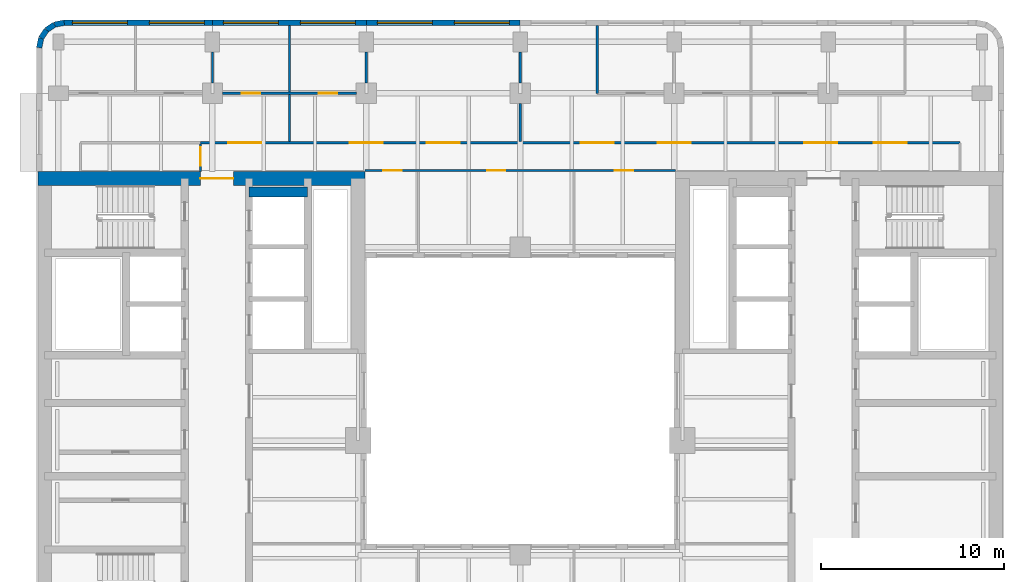
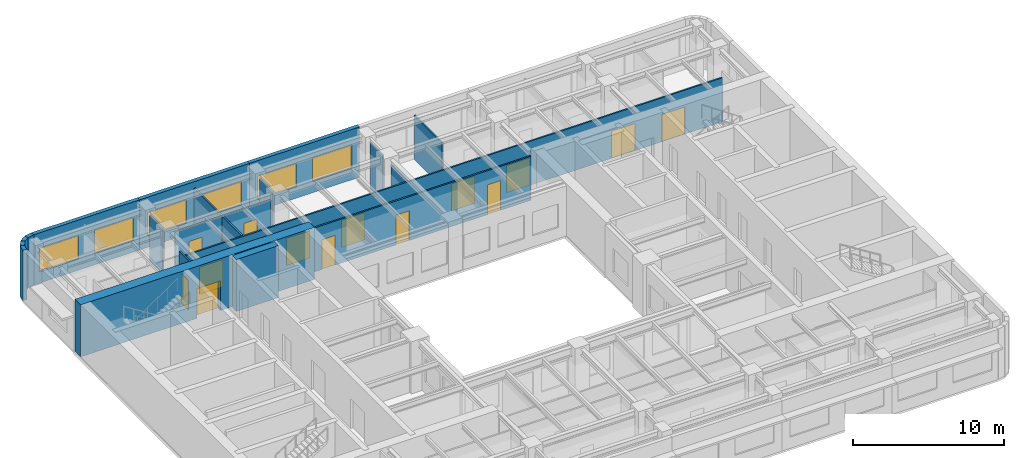
# One storey, part 7 of 12: 20 walls, 14 doors, 6 windows, 20 openings.
"""IFC4 building model written with IfcOpenShell, lengths in metres."""

from ifc_helpers import new_model, si_unit, direction, frame, frame_2d, origin, place, context, subcontext, project, spatial, rectangle, extrude, material, layer, layer_set, type_object, element, fill, save


model = new_model("IFC4")

# Units and contexts
model_context = context("Model", 3, precision=1e-05, world=origin(), true_north=direction((0.0, 1.0)))
body_context = subcontext(model_context, "Body", "Model", "MODEL_VIEW")
ifc_project = project(units=[si_unit("LENGTHUNIT", "METRE"), si_unit("AREAUNIT", "SQUARE_METRE"), si_unit("VOLUMEUNIT", "CUBIC_METRE"), si_unit("PLANEANGLEUNIT", "RADIAN"), si_unit("MASSUNIT", "GRAM", prefix="KILO")], contexts=[model_context])

# Site, building, storey
site_placement = place(None, origin())
site = spatial("IfcSite", under=ifc_project, at=site_placement, CompositionType="ELEMENT")
building_placement = place(site_placement, origin())
building = spatial("IfcBuilding", under=site, at=building_placement, Name="Claustro Exchange Tower", CompositionType="ELEMENT")
storey_placement = place(building_placement, frame((0.0, 0.0, 223.800048828125)))
storey = spatial("IfcBuildingStorey", under=building, at=storey_placement, Name="L51", CompositionType="ELEMENT", Elevation=223.800048828125)

# Wall, openings, doors
ifc_material_1 = material(Name="Laminated glass in aluminium frame", Category="aluminium")
ifc_layer_1 = layer(ifc_material_1, 0.1201171875)
ifc_layer_set_1 = layer_set([ifc_layer_1], Name="Laminated glass in aluminium frame")
wall_type_1 = type_object("IfcWallType", Name="P2 120 glazed partition", PredefinedType="PARTITIONING", material=ifc_layer_set_1)
wall_1_placement = place(storey_placement, frame((8.948974609375, 42.0, 0.0), z_axis=(0.0, 0.0, 1.0), x_axis=(1.0, 0.0, 0.0)))
wall_1 = element("IfcWall", 1, at=wall_1_placement, inside=storey, type_object=wall_type_1, Name="Partition P2 L51", PredefinedType="PARTITIONING", context=body_context, shape_type="SweptSolid", body=[
    extrude(rectangle(XDim=7.302001953125, YDim=0.1201171875, at=frame_2d((3.65087890625, 0.0))), origin(), (0.0, 0.0, 1.0), 3.550048828125),
])
opening_1_placement = place(wall_1_placement, frame((1.051025390625, 0.0, 0.0)))
opening_1 = element("IfcOpeningElement", 2, at=opening_1_placement, cuts=wall_1, Name="Opening D7", PredefinedType="OPENING", context=body_context, shape_type="SweptSolid", body=[
    extrude(rectangle(XDim=1.0, YDim=2.39990234375, at=frame_2d((0.5, 1.199951171875))), frame((0.0, 0.070068359375, 0.0), z_axis=(0.0, -1.0, 0.0), x_axis=(1.0, 0.0, 0.0)), (0.0, 0.0, 1.0), 0.14013671875),
])
opening_2_placement = place(wall_1_placement, frame((5.2509765625, 0.0, 0.0)))
opening_2 = element("IfcOpeningElement", 3, at=opening_2_placement, cuts=wall_1, Name="Opening D7", PredefinedType="OPENING", context=body_context, shape_type="SweptSolid", body=[
    extrude(rectangle(XDim=1.0, YDim=2.39990234375, at=frame_2d((0.5, 1.199951171875))), frame((0.0, 0.070068359375, 0.0), z_axis=(0.0, -1.0, 0.0), x_axis=(1.0, 0.0, 0.0)), (0.0, 0.0, 1.0), 0.14013671875),
])
ifc_material_2 = material(Name="Glass door in aluminium frame", Category="aluminium")
door_type_1 = type_object("IfcDoorType", Name="D7 1000 x 2400 glazed door", OperationType="SINGLE_SWING_LEFT", PredefinedType="DOOR", material=ifc_material_2)
door_1_placement = place(opening_1_placement, origin())
door_1 = element("IfcDoor", 4, at=door_1_placement, inside=storey, type_object=door_type_1, Name="Door D7 L51", OperationType="SINGLE_SWING_LEFT", OverallHeight=2.39990234375, OverallWidth=1.0, PredefinedType="DOOR", context=body_context, shape_type="SweptSolid", body=[
    extrude(rectangle(XDim=1.0, YDim=2.39990234375, at=frame_2d((0.5, 1.199951171875))), frame((0.0, 0.02490234375, 0.0), z_axis=(0.0, -1.0, 0.0), x_axis=(1.0, 0.0, 0.0)), (0.0, 0.0, 1.0), 0.050048828125),
])
fill(opening_1, door_1)
door_2_placement = place(opening_2_placement, origin())
door_2 = element("IfcDoor", 5, at=door_2_placement, inside=storey, type_object=door_type_1, Name="Door D7 L51", OperationType="SINGLE_SWING_LEFT", OverallHeight=2.39990234375, OverallWidth=1.0, PredefinedType="DOOR", context=body_context, shape_type="SweptSolid", body=[
    extrude(rectangle(XDim=1.0, YDim=2.39990234375, at=frame_2d((0.5, 1.199951171875))), frame((0.0, 0.02490234375, 0.0), z_axis=(0.0, -1.0, 0.0), x_axis=(1.0, 0.0, 0.0)), (0.0, 0.0, 1.0), 0.050048828125),
])
fill(opening_2, door_2)

# Walls
wall_2_placement = place(storey_placement, frame((8.39990234375, 42.549072265625, 0.0), z_axis=(0.0, 0.0, 1.0), x_axis=(0.0, 1.0, 0.0)))
element("IfcWall", 6, at=wall_2_placement, inside=storey, type_object=wall_type_1, Name="Partition P2 L51", PredefinedType="PARTITIONING", context=body_context, shape_type="SweptSolid", body=[
    extrude(rectangle(XDim=1.701904296875, YDim=0.1201171875, at=frame_2d((0.85107421875, 0.0))), origin(), (0.0, 0.0, 1.0), 3.68994140625),
])
wall_3_placement = place(storey_placement, frame((12.60009765625, 42.05810546875, 0.0), z_axis=(0.0, 0.0, 1.0), x_axis=(0.0, 1.0, 0.0)))
element("IfcWall", 7, at=wall_3_placement, inside=storey, type_object=wall_type_1, Name="Partition P2 L51", PredefinedType="PARTITIONING", context=body_context, shape_type="SweptSolid", body=[
    extrude(rectangle(XDim=3.643798828125, YDim=0.1201171875, at=frame_2d((1.82177734375, 0.0))), origin(), (0.0, 0.0, 1.0), 3.550048828125),
])
wall_4_placement = place(storey_placement, frame((16.800048828125, 42.549072265625, 0.0), z_axis=(0.0, 0.0, 1.0), x_axis=(0.0, 1.0, 0.0)))
element("IfcWall", 8, at=wall_4_placement, inside=storey, type_object=wall_type_1, Name="Partition P2 L51", PredefinedType="PARTITIONING", context=body_context, shape_type="SweptSolid", body=[
    extrude(rectangle(XDim=1.701904296875, YDim=0.1201171875, at=frame_2d((0.85107421875, 0.0))), origin(), (0.0, 0.0, 1.0), 3.68994140625),
])
wall_5_placement = place(storey_placement, frame((29.39990234375, 42.0, 0.0), z_axis=(0.0, 0.0, 1.0), x_axis=(0.0, 1.0, 0.0)))
element("IfcWall", 9, at=wall_5_placement, inside=storey, type_object=wall_type_1, Name="Partition P2 L51", PredefinedType="PARTITIONING", context=body_context, shape_type="SweptSolid", body=[
    extrude(rectangle(XDim=3.701904296875, YDim=0.1201171875, at=frame_2d((1.85107421875, 0.0))), origin(), (0.0, 0.0, 1.0), 3.550048828125),
])
wall_6_placement = place(storey_placement, frame((12.60009765625, 39.35791015625, 0.0), z_axis=(0.0, 0.0, 1.0), x_axis=(0.0, 1.0, 0.0)))
element("IfcWall", 10, at=wall_6_placement, inside=storey, type_object=wall_type_1, Name="Partition P2 L51", PredefinedType="PARTITIONING", context=body_context, shape_type="SweptSolid", body=[
    extrude(rectangle(XDim=2.583984375, YDim=0.1201171875, at=frame_2d((1.2919921875, 0.0))), origin(), (0.0, 0.0, 1.0), 3.550048828125),
])
wall_7_placement = place(storey_placement, frame((25.199951171875, 39.35791015625, 0.0), z_axis=(0.0, 0.0, 1.0), x_axis=(0.0, 1.0, 0.0)))
element("IfcWall", 11, at=wall_7_placement, inside=storey, type_object=wall_type_1, Name="Partition P2 L51", PredefinedType="PARTITIONING", context=body_context, shape_type="SweptSolid", body=[
    extrude(rectangle(XDim=2.093017578125, YDim=0.1201171875, at=frame_2d((1.04638671875, 0.0))), origin(), (0.0, 0.0, 1.0), 3.550048828125),
])
wall_8_placement = place(storey_placement, frame((25.199951171875, 42.549072265625, 0.0), z_axis=(0.0, 0.0, 1.0), x_axis=(0.0, 1.0, 0.0)))
element("IfcWall", 12, at=wall_8_placement, inside=storey, type_object=wall_type_1, Name="Partition P2 L51", PredefinedType="PARTITIONING", context=body_context, shape_type="SweptSolid", body=[
    extrude(rectangle(XDim=1.701904296875, YDim=0.1201171875, at=frame_2d((0.85107421875, 0.0))), origin(), (0.0, 0.0, 1.0), 3.68994140625),
])

# Wall, openings, doors
wall_9_placement = place(storey_placement, frame((7.748046875, 39.300048828125, 0.0), z_axis=(0.0, 0.0, 1.0), x_axis=(1.0, 0.0, 0.0)))
wall_9 = element("IfcWall", 13, at=wall_9_placement, inside=storey, type_object=wall_type_1, Name="Partition P2 L51", PredefinedType="PARTITIONING", context=body_context, shape_type="SweptSolid", body=[
    extrude(rectangle(XDim=41.451904296875, YDim=0.1201171875, at=frame_2d((20.72607421875, 0.0))), origin(), (0.0, 0.0, 1.0), 3.550048828125),
])
opening_3_placement = place(wall_9_placement, frame((1.527099609375, 0.0, 0.0)))
opening_3 = element("IfcOpeningElement", 14, at=opening_3_placement, cuts=wall_9, Name="Opening D2", PredefinedType="OPENING", context=body_context, shape_type="SweptSolid", body=[
    extrude(rectangle(XDim=1.800048828125, YDim=2.199951171875, at=frame_2d((0.89990234375, 1.10009765625))), frame((0.0, 0.070068359375, 0.0), z_axis=(0.0, -1.0, 0.0), x_axis=(1.0, 0.0, 0.0)), (0.0, 0.0, 1.0), 0.14013671875),
])
opening_4_placement = place(wall_9_placement, frame((8.152099609375, 0.0, 0.0)))
opening_4 = element("IfcOpeningElement", 15, at=opening_4_placement, cuts=wall_9, Name="Opening D2", PredefinedType="OPENING", context=body_context, shape_type="SweptSolid", body=[
    extrude(rectangle(XDim=1.800048828125, YDim=2.199951171875, at=frame_2d((0.89990234375, 1.10009765625))), frame((0.0, 0.070068359375, 0.0), z_axis=(0.0, -1.0, 0.0), x_axis=(1.0, 0.0, 0.0)), (0.0, 0.0, 1.0), 0.14013671875),
])
opening_5_placement = place(wall_9_placement, frame((12.35205078125, 0.0, 0.0)))
opening_5 = element("IfcOpeningElement", 16, at=opening_5_placement, cuts=wall_9, Name="Opening D2", PredefinedType="OPENING", context=body_context, shape_type="SweptSolid", body=[
    extrude(rectangle(XDim=1.800048828125, YDim=2.199951171875, at=frame_2d((0.89990234375, 1.10009765625))), frame((0.0, 0.070068359375, 0.0), z_axis=(0.0, -1.0, 0.0), x_axis=(1.0, 0.0, 0.0)), (0.0, 0.0, 1.0), 0.14013671875),
])
opening_6_placement = place(wall_9_placement, frame((20.751953125, 0.0, 0.0)))
opening_6 = element("IfcOpeningElement", 17, at=opening_6_placement, cuts=wall_9, Name="Opening D2", PredefinedType="OPENING", context=body_context, shape_type="SweptSolid", body=[
    extrude(rectangle(XDim=1.800048828125, YDim=2.199951171875, at=frame_2d((0.89990234375, 1.10009765625))), frame((0.0, 0.070068359375, 0.0), z_axis=(0.0, -1.0, 0.0), x_axis=(1.0, 0.0, 0.0)), (0.0, 0.0, 1.0), 0.14013671875),
])
opening_7_placement = place(wall_9_placement, frame((24.951904296875, 0.0, 0.0)))
opening_7 = element("IfcOpeningElement", 18, at=opening_7_placement, cuts=wall_9, Name="Opening D2", PredefinedType="OPENING", context=body_context, shape_type="SweptSolid", body=[
    extrude(rectangle(XDim=1.800048828125, YDim=2.199951171875, at=frame_2d((0.89990234375, 1.10009765625))), frame((0.0, 0.070068359375, 0.0), z_axis=(0.0, -1.0, 0.0), x_axis=(1.0, 0.0, 0.0)), (0.0, 0.0, 1.0), 0.14013671875),
])
opening_8_placement = place(wall_9_placement, frame((32.951904296875, 0.0, 0.0)))
opening_8 = element("IfcOpeningElement", 19, at=opening_8_placement, cuts=wall_9, Name="Opening D2", PredefinedType="OPENING", context=body_context, shape_type="SweptSolid", body=[
    extrude(rectangle(XDim=1.800048828125, YDim=2.199951171875, at=frame_2d((0.89990234375, 1.10009765625))), frame((0.0, 0.070068359375, 0.0), z_axis=(0.0, -1.0, 0.0), x_axis=(1.0, 0.0, 0.0)), (0.0, 0.0, 1.0), 0.14013671875),
])
opening_9_placement = place(wall_9_placement, frame((36.751953125, 0.0, 0.0)))
opening_9 = element("IfcOpeningElement", 20, at=opening_9_placement, cuts=wall_9, Name="Opening D2", PredefinedType="OPENING", context=body_context, shape_type="SweptSolid", body=[
    extrude(rectangle(XDim=1.800048828125, YDim=2.199951171875, at=frame_2d((0.89990234375, 1.10009765625))), frame((0.0, 0.070068359375, 0.0), z_axis=(0.0, -1.0, 0.0), x_axis=(1.0, 0.0, 0.0)), (0.0, 0.0, 1.0), 0.14013671875),
])
ifc_material_3 = material(Name="Timber door, oak veneer", Category="wood")
door_type_2 = type_object("IfcDoorType", Name="D2 1800 x 2200 double door", OperationType="DOUBLE_DOOR_SINGLE_SWING", PredefinedType="DOOR", material=ifc_material_3)
door_3_placement = place(opening_3_placement, origin())
door_3 = element("IfcDoor", 21, at=door_3_placement, inside=storey, type_object=door_type_2, Name="Double door D2 L51", OperationType="DOUBLE_DOOR_SINGLE_SWING", OverallHeight=2.199951171875, OverallWidth=1.800048828125, PredefinedType="DOOR", context=body_context, shape_type="SweptSolid", body=[
    extrude(rectangle(XDim=1.800048828125, YDim=2.199951171875, at=frame_2d((0.89990234375, 1.10009765625))), frame((0.0, 0.02490234375, 0.0), z_axis=(0.0, -1.0, 0.0), x_axis=(1.0, 0.0, 0.0)), (0.0, 0.0, 1.0), 0.050048828125),
])
fill(opening_3, door_3)
door_4_placement = place(opening_4_placement, origin())
door_4 = element("IfcDoor", 22, at=door_4_placement, inside=storey, type_object=door_type_2, Name="Double door D2 L51", OperationType="DOUBLE_DOOR_SINGLE_SWING", OverallHeight=2.199951171875, OverallWidth=1.800048828125, PredefinedType="DOOR", context=body_context, shape_type="SweptSolid", body=[
    extrude(rectangle(XDim=1.800048828125, YDim=2.199951171875, at=frame_2d((0.89990234375, 1.10009765625))), frame((0.0, 0.02490234375, 0.0), z_axis=(0.0, -1.0, 0.0), x_axis=(1.0, 0.0, 0.0)), (0.0, 0.0, 1.0), 0.050048828125),
])
fill(opening_4, door_4)
door_5_placement = place(opening_5_placement, origin())
door_5 = element("IfcDoor", 23, at=door_5_placement, inside=storey, type_object=door_type_2, Name="Double door D2 L51", OperationType="DOUBLE_DOOR_SINGLE_SWING", OverallHeight=2.199951171875, OverallWidth=1.800048828125, PredefinedType="DOOR", context=body_context, shape_type="SweptSolid", body=[
    extrude(rectangle(XDim=1.800048828125, YDim=2.199951171875, at=frame_2d((0.89990234375, 1.10009765625))), frame((0.0, 0.02490234375, 0.0), z_axis=(0.0, -1.0, 0.0), x_axis=(1.0, 0.0, 0.0)), (0.0, 0.0, 1.0), 0.050048828125),
])
fill(opening_5, door_5)
door_6_placement = place(opening_6_placement, origin())
door_6 = element("IfcDoor", 24, at=door_6_placement, inside=storey, type_object=door_type_2, Name="Double door D2 L51", OperationType="DOUBLE_DOOR_SINGLE_SWING", OverallHeight=2.199951171875, OverallWidth=1.800048828125, PredefinedType="DOOR", context=body_context, shape_type="SweptSolid", body=[
    extrude(rectangle(XDim=1.800048828125, YDim=2.199951171875, at=frame_2d((0.89990234375, 1.10009765625))), frame((0.0, 0.02490234375, 0.0), z_axis=(0.0, -1.0, 0.0), x_axis=(1.0, 0.0, 0.0)), (0.0, 0.0, 1.0), 0.050048828125),
])
fill(opening_6, door_6)
door_7_placement = place(opening_7_placement, origin())
door_7 = element("IfcDoor", 25, at=door_7_placement, inside=storey, type_object=door_type_2, Name="Double door D2 L51", OperationType="DOUBLE_DOOR_SINGLE_SWING", OverallHeight=2.199951171875, OverallWidth=1.800048828125, PredefinedType="DOOR", context=body_context, shape_type="SweptSolid", body=[
    extrude(rectangle(XDim=1.800048828125, YDim=2.199951171875, at=frame_2d((0.89990234375, 1.10009765625))), frame((0.0, 0.02490234375, 0.0), z_axis=(0.0, -1.0, 0.0), x_axis=(1.0, 0.0, 0.0)), (0.0, 0.0, 1.0), 0.050048828125),
])
fill(opening_7, door_7)
door_8_placement = place(opening_8_placement, origin())
door_8 = element("IfcDoor", 26, at=door_8_placement, inside=storey, type_object=door_type_2, Name="Double door D2 L51", OperationType="DOUBLE_DOOR_SINGLE_SWING", OverallHeight=2.199951171875, OverallWidth=1.800048828125, PredefinedType="DOOR", context=body_context, shape_type="SweptSolid", body=[
    extrude(rectangle(XDim=1.800048828125, YDim=2.199951171875, at=frame_2d((0.89990234375, 1.10009765625))), frame((0.0, 0.02490234375, 0.0), z_axis=(0.0, -1.0, 0.0), x_axis=(1.0, 0.0, 0.0)), (0.0, 0.0, 1.0), 0.050048828125),
])
fill(opening_8, door_8)
door_9_placement = place(opening_9_placement, origin())
door_9 = element("IfcDoor", 27, at=door_9_placement, inside=storey, type_object=door_type_2, Name="Double door D2 L51", OperationType="DOUBLE_DOOR_SINGLE_SWING", OverallHeight=2.199951171875, OverallWidth=1.800048828125, PredefinedType="DOOR", context=body_context, shape_type="SweptSolid", body=[
    extrude(rectangle(XDim=1.800048828125, YDim=2.199951171875, at=frame_2d((0.89990234375, 1.10009765625))), frame((0.0, 0.02490234375, 0.0), z_axis=(0.0, -1.0, 0.0), x_axis=(1.0, 0.0, 0.0)), (0.0, 0.0, 1.0), 0.050048828125),
])
fill(opening_9, door_9)

# Wall, opening, door
wall_10_placement = place(storey_placement, frame((7.75, 37.72412109375, 0.0), z_axis=(0.0, 0.0, 1.0), x_axis=(0.0, 1.0, 0.0)))
wall_10 = element("IfcWall", 28, at=wall_10_placement, inside=storey, type_object=wall_type_1, Name="Partition P2 L51", PredefinedType="PARTITIONING", context=body_context, shape_type="SweptSolid", body=[
    extrude(rectangle(XDim=1.517822265625, YDim=0.1201171875, at=frame_2d((0.7587890625, 0.0))), origin(), (0.0, 0.0, 1.0), 4.050048828125),
])
opening_10_placement = place(wall_10_placement, frame((0.325927734375, 0.0, 0.0)))
opening_10 = element("IfcOpeningElement", 29, at=opening_10_placement, cuts=wall_10, Name="Opening D7", PredefinedType="OPENING", context=body_context, shape_type="SweptSolid", body=[
    extrude(rectangle(XDim=1.0, YDim=2.39990234375, at=frame_2d((0.5, 1.199951171875))), frame((0.0, 0.070068359375, 0.0), z_axis=(0.0, -1.0, 0.0), x_axis=(1.0, 0.0, 0.0)), (0.0, 0.0, 1.0), 0.14013671875),
])
door_10_placement = place(opening_10_placement, origin())
door_10 = element("IfcDoor", 30, at=door_10_placement, inside=storey, type_object=door_type_1, Name="Door D7 L51", OperationType="SINGLE_SWING_LEFT", OverallHeight=2.39990234375, OverallWidth=1.0, PredefinedType="DOOR", context=body_context, shape_type="SweptSolid", body=[
    extrude(rectangle(XDim=1.0, YDim=2.39990234375, at=frame_2d((0.5, 1.199951171875))), frame((0.0, 0.02490234375, 0.0), z_axis=(0.0, -1.0, 0.0), x_axis=(1.0, 0.0, 0.0)), (0.0, 0.0, 1.0), 0.050048828125),
])
fill(opening_10, door_10)

# Wall, openings, doors
wall_11_placement = place(storey_placement, frame((16.72509765625, 37.784912109375, 0.0), z_axis=(0.0, 0.0, 1.0), x_axis=(1.0, 0.0, 0.0)))
wall_11 = element("IfcWall", 31, at=wall_11_placement, inside=storey, type_object=wall_type_1, Name="Partition P2 L51", PredefinedType="PARTITIONING", context=body_context, shape_type="SweptSolid", body=[
    extrude(rectangle(XDim=16.949951171875, YDim=0.1201171875, at=frame_2d((8.47509765625, 0.0))), origin(), (0.0, 0.0, 1.0), 3.550048828125),
])
opening_11_placement = place(wall_11_placement, frame((1.0, 0.0, 0.0)))
opening_11 = element("IfcOpeningElement", 32, at=opening_11_placement, cuts=wall_11, Name="Opening D7", PredefinedType="OPENING", context=body_context, shape_type="SweptSolid", body=[
    extrude(rectangle(XDim=1.0, YDim=2.39990234375, at=frame_2d((0.5, 1.199951171875))), frame((0.0, 0.070068359375, 0.0), z_axis=(0.0, -1.0, 0.0), x_axis=(1.0, 0.0, 0.0)), (0.0, 0.0, 1.0), 0.14013671875),
])
opening_12_placement = place(wall_11_placement, frame((6.6650390625, 0.0, 0.0)))
opening_12 = element("IfcOpeningElement", 33, at=opening_12_placement, cuts=wall_11, Name="Opening D7", PredefinedType="OPENING", context=body_context, shape_type="SweptSolid", body=[
    extrude(rectangle(XDim=1.0, YDim=2.39990234375, at=frame_2d((0.5, 1.199951171875))), frame((0.0, 0.070068359375, 0.0), z_axis=(0.0, -1.0, 0.0), x_axis=(1.0, 0.0, 0.0)), (0.0, 0.0, 1.0), 0.14013671875),
])
opening_13_placement = place(wall_11_placement, frame((13.639892578125, 0.0, 0.0)))
opening_13 = element("IfcOpeningElement", 34, at=opening_13_placement, cuts=wall_11, Name="Opening D7", PredefinedType="OPENING", context=body_context, shape_type="SweptSolid", body=[
    extrude(rectangle(XDim=1.0, YDim=2.39990234375, at=frame_2d((0.5, 1.199951171875))), frame((0.0, 0.070068359375, 0.0), z_axis=(0.0, -1.0, 0.0), x_axis=(1.0, 0.0, 0.0)), (0.0, 0.0, 1.0), 0.14013671875),
])
door_11_placement = place(opening_11_placement, frame((1.0, 0.0, 0.0), z_axis=(0.0, 0.0, 1.0), x_axis=(-1.0, 0.0, 0.0)))
door_11 = element("IfcDoor", 35, at=door_11_placement, inside=storey, type_object=door_type_1, Name="Door D7 L51", OperationType="SINGLE_SWING_LEFT", OverallHeight=2.39990234375, OverallWidth=1.0, PredefinedType="DOOR", context=body_context, shape_type="SweptSolid", body=[
    extrude(rectangle(XDim=1.0, YDim=2.39990234375, at=frame_2d((0.5, 1.199951171875))), frame((0.0, 0.02490234375, 0.0), z_axis=(0.0, -1.0, 0.0), x_axis=(1.0, 0.0, 0.0)), (0.0, 0.0, 1.0), 0.050048828125),
])
fill(opening_11, door_11)
door_12_placement = place(opening_12_placement, frame((1.0, 0.0, 0.0), z_axis=(0.0, 0.0, 1.0), x_axis=(-1.0, 0.0, 0.0)))
door_12 = element("IfcDoor", 36, at=door_12_placement, inside=storey, type_object=door_type_1, Name="Door D7 L51", OperationType="SINGLE_SWING_LEFT", OverallHeight=2.39990234375, OverallWidth=1.0, PredefinedType="DOOR", context=body_context, shape_type="SweptSolid", body=[
    extrude(rectangle(XDim=1.0, YDim=2.39990234375, at=frame_2d((0.5, 1.199951171875))), frame((0.0, 0.02490234375, 0.0), z_axis=(0.0, -1.0, 0.0), x_axis=(1.0, 0.0, 0.0)), (0.0, 0.0, 1.0), 0.050048828125),
])
fill(opening_12, door_12)
door_13_placement = place(opening_13_placement, frame((1.0, 0.0, 0.0), z_axis=(0.0, 0.0, 1.0), x_axis=(-1.0, 0.0, 0.0)))
door_13 = element("IfcDoor", 37, at=door_13_placement, inside=storey, type_object=door_type_1, Name="Door D7 L51", OperationType="SINGLE_SWING_LEFT", OverallHeight=2.39990234375, OverallWidth=1.0, PredefinedType="DOOR", context=body_context, shape_type="SweptSolid", body=[
    extrude(rectangle(XDim=1.0, YDim=2.39990234375, at=frame_2d((0.5, 1.199951171875))), frame((0.0, 0.02490234375, 0.0), z_axis=(0.0, -1.0, 0.0), x_axis=(1.0, 0.0, 0.0)), (0.0, 0.0, 1.0), 0.050048828125),
])
fill(opening_13, door_13)

# Walls
ifc_material_4 = material(Name="Concrete HA-40 (C40/50), precast, white cement, acid-etched", Category="concrete")
ifc_layer_2 = layer(ifc_material_4, 0.300048828125)
ifc_layer_set_2 = layer_set([ifc_layer_2], Name="Concrete HA-40 (C40/50), precast, white cement, acid-etched")
wall_type_2 = type_object("IfcWallType", Name="PC1 300 precast concrete pier panel", PredefinedType="SOLIDWALL", material=ifc_layer_set_2)
wall_12_placement = place(storey_placement, frame((-1.050048828125, 44.485107421875, 0.0), z_axis=(0.0, 0.0, 1.0), x_axis=(0.195073962632, 0.980788534345, 0.0)))
element("IfcWall", 38, at=wall_12_placement, inside=storey, type_object=wall_type_2, Name="Precast pier panel PC1 L51", PredefinedType="SOLIDWALL", context=body_context, shape_type="SweptSolid", body=[
    extrude(rectangle(XDim=0.540771484375, YDim=0.300048828125, at=frame_2d((0.2705078125, 0.0))), origin(), (0.0, 0.0, 1.0), 4.050048828125),
])
wall_13_placement = place(storey_placement, frame((-0.944580078125, 45.015380859375, 0.0), z_axis=(0.0, 0.0, 1.0), x_axis=(0.55534295404, 0.831621430339, 0.0)))
element("IfcWall", 39, at=wall_13_placement, inside=storey, type_object=wall_type_2, Name="Precast pier panel PC1 L51", PredefinedType="SOLIDWALL", context=body_context, shape_type="SweptSolid", body=[
    extrude(rectangle(XDim=0.52587890625, YDim=0.300048828125, at=frame_2d((0.262939453125, 0.0))), origin(), (0.0, 0.0, 1.0), 4.050048828125),
])
wall_14_placement = place(storey_placement, frame((-0.652587890625, 45.45263671875, 0.0), z_axis=(0.0, 0.0, 1.0), x_axis=(0.831692711774, 0.555236195849, 0.0)))
element("IfcWall", 40, at=wall_14_placement, inside=storey, type_object=wall_type_2, Name="Precast pier panel PC1 L51", PredefinedType="SOLIDWALL", context=body_context, shape_type="SweptSolid", body=[
    extrude(rectangle(XDim=0.525390625, YDim=0.300048828125, at=frame_2d((0.2626953125, 0.0))), origin(), (0.0, 0.0, 1.0), 4.050048828125),
])
wall_15_placement = place(storey_placement, frame((-0.215576171875, 45.744384765625, 0.0), z_axis=(0.0, 0.0, 1.0), x_axis=(0.980702050465, 0.1955082817, 0.0)))
element("IfcWall", 41, at=wall_15_placement, inside=storey, type_object=wall_type_2, Name="Precast pier panel PC1 L51", PredefinedType="SOLIDWALL", context=body_context, shape_type="SweptSolid", body=[
    extrude(rectangle(XDim=0.540771484375, YDim=0.300048828125, at=frame_2d((0.2705078125, 0.0))), origin(), (0.0, 0.0, 1.0), 4.050048828125),
])

# Wall, openings, windows
wall_16_placement = place(storey_placement, frame((0.314697265625, 45.85009765625, 0.0), z_axis=(0.0, 0.0, 1.0), x_axis=(1.0, 0.0, 0.0)))
wall_16 = element("IfcWall", 42, at=wall_16_placement, inside=storey, type_object=wall_type_2, Name="Precast pier panel PC1 L51", PredefinedType="SOLIDWALL", context=body_context, shape_type="SweptSolid", body=[
    extrude(rectangle(XDim=8.085205078125, YDim=0.300048828125, at=frame_2d((4.04248046875, 0.0))), origin(), (0.0, 0.0, 1.0), 4.050048828125),
])
opening_14_placement = place(wall_16_placement, frame((0.442626953125, 0.0, 0.89990234375)))
opening_14 = element("IfcOpeningElement", 43, at=opening_14_placement, cuts=wall_16, Name="Opening W1", PredefinedType="OPENING", context=body_context, shape_type="SweptSolid", body=[
    extrude(rectangle(XDim=3.0, YDim=1.89990234375, at=frame_2d((1.5, 0.949951171875))), frame((0.0, 0.159912109375, 0.0), z_axis=(0.0, -1.0, 0.0), x_axis=(1.0, 0.0, 0.0)), (0.0, 0.0, 1.0), 0.320068359375),
])
opening_15_placement = place(wall_16_placement, frame((4.642578125, 0.0, 0.89990234375)))
opening_15 = element("IfcOpeningElement", 44, at=opening_15_placement, cuts=wall_16, Name="Opening W1", PredefinedType="OPENING", context=body_context, shape_type="SweptSolid", body=[
    extrude(rectangle(XDim=3.0, YDim=1.89990234375, at=frame_2d((1.5, 0.949951171875))), frame((0.0, 0.159912109375, 0.0), z_axis=(0.0, -1.0, 0.0), x_axis=(1.0, 0.0, 0.0)), (0.0, 0.0, 1.0), 0.320068359375),
])
ifc_material_5 = material(Name="Aluminium frame, clear double glazing", Category="aluminium")
window_type = type_object("IfcWindowType", Name="W1 3000 x 1900 window", PartitioningType="SINGLE_PANEL", PredefinedType="WINDOW", material=ifc_material_5)
window_1_placement = place(opening_14_placement, origin())
window_1 = element("IfcWindow", 45, at=window_1_placement, inside=storey, type_object=window_type, Name="Window W1 L51", OverallHeight=1.89990234375, OverallWidth=3.0, PartitioningType="SINGLE_PANEL", PredefinedType="WINDOW", context=body_context, shape_type="SweptSolid", body=[
    extrude(rectangle(XDim=3.0, YDim=1.89990234375, at=frame_2d((1.5, 0.949951171875))), frame((0.0, 0.030029296875, 0.0), z_axis=(0.0, -1.0, 0.0), x_axis=(1.0, 0.0, 0.0)), (0.0, 0.0, 1.0), 0.06005859375),
])
fill(opening_14, window_1)
window_2_placement = place(opening_15_placement, origin())
window_2 = element("IfcWindow", 46, at=window_2_placement, inside=storey, type_object=window_type, Name="Window W1 L51", OverallHeight=1.89990234375, OverallWidth=3.0, PartitioningType="SINGLE_PANEL", PredefinedType="WINDOW", context=body_context, shape_type="SweptSolid", body=[
    extrude(rectangle(XDim=3.0, YDim=1.89990234375, at=frame_2d((1.5, 0.949951171875))), frame((0.0, 0.030029296875, 0.0), z_axis=(0.0, -1.0, 0.0), x_axis=(1.0, 0.0, 0.0)), (0.0, 0.0, 1.0), 0.06005859375),
])
fill(opening_15, window_2)

wall_17_placement = place(storey_placement, frame((8.39990234375, 45.85009765625, 0.0), z_axis=(0.0, 0.0, 1.0), x_axis=(1.0, 0.0, 0.0)))
wall_17 = element("IfcWall", 47, at=wall_17_placement, inside=storey, type_object=wall_type_2, Name="Precast pier panel PC1 L51", PredefinedType="SOLIDWALL", context=body_context, shape_type="SweptSolid", body=[
    extrude(rectangle(XDim=8.400146484375, YDim=0.300048828125, at=frame_2d((4.2001953125, 0.0))), origin(), (0.0, 0.0, 1.0), 4.050048828125),
])
opening_16_placement = place(wall_17_placement, frame((0.60009765625, 0.0, 0.89990234375)))
opening_16 = element("IfcOpeningElement", 48, at=opening_16_placement, cuts=wall_17, Name="Opening W1", PredefinedType="OPENING", context=body_context, shape_type="SweptSolid", body=[
    extrude(rectangle(XDim=3.0, YDim=1.89990234375, at=frame_2d((1.5, 0.949951171875))), frame((0.0, 0.159912109375, 0.0), z_axis=(0.0, -1.0, 0.0), x_axis=(1.0, 0.0, 0.0)), (0.0, 0.0, 1.0), 0.320068359375),
])
opening_17_placement = place(wall_17_placement, frame((4.800048828125, 0.0, 0.89990234375)))
opening_17 = element("IfcOpeningElement", 49, at=opening_17_placement, cuts=wall_17, Name="Opening W1", PredefinedType="OPENING", context=body_context, shape_type="SweptSolid", body=[
    extrude(rectangle(XDim=3.0, YDim=1.89990234375, at=frame_2d((1.5, 0.949951171875))), frame((0.0, 0.159912109375, 0.0), z_axis=(0.0, -1.0, 0.0), x_axis=(1.0, 0.0, 0.0)), (0.0, 0.0, 1.0), 0.320068359375),
])
window_3_placement = place(opening_16_placement, origin())
window_3 = element("IfcWindow", 50, at=window_3_placement, inside=storey, type_object=window_type, Name="Window W1 L51", OverallHeight=1.89990234375, OverallWidth=3.0, PartitioningType="SINGLE_PANEL", PredefinedType="WINDOW", context=body_context, shape_type="SweptSolid", body=[
    extrude(rectangle(XDim=3.0, YDim=1.89990234375, at=frame_2d((1.5, 0.949951171875))), frame((0.0, 0.030029296875, 0.0), z_axis=(0.0, -1.0, 0.0), x_axis=(1.0, 0.0, 0.0)), (0.0, 0.0, 1.0), 0.06005859375),
])
fill(opening_16, window_3)
window_4_placement = place(opening_17_placement, origin())
window_4 = element("IfcWindow", 51, at=window_4_placement, inside=storey, type_object=window_type, Name="Window W1 L51", OverallHeight=1.89990234375, OverallWidth=3.0, PartitioningType="SINGLE_PANEL", PredefinedType="WINDOW", context=body_context, shape_type="SweptSolid", body=[
    extrude(rectangle(XDim=3.0, YDim=1.89990234375, at=frame_2d((1.5, 0.949951171875))), frame((0.0, 0.030029296875, 0.0), z_axis=(0.0, -1.0, 0.0), x_axis=(1.0, 0.0, 0.0)), (0.0, 0.0, 1.0), 0.06005859375),
])
fill(opening_17, window_4)

wall_18_placement = place(storey_placement, frame((16.800048828125, 45.85009765625, 0.0), z_axis=(0.0, 0.0, 1.0), x_axis=(1.0, 0.0, 0.0)))
wall_18 = element("IfcWall", 52, at=wall_18_placement, inside=storey, type_object=wall_type_2, Name="Precast pier panel PC1 L51", PredefinedType="SOLIDWALL", context=body_context, shape_type="SweptSolid", body=[
    extrude(rectangle(XDim=8.39990234375, YDim=0.300048828125, at=frame_2d((4.199951171875, 0.0))), origin(), (0.0, 0.0, 1.0), 4.050048828125),
])
opening_18_placement = place(wall_18_placement, frame((0.60009765625, 0.0, 0.89990234375)))
opening_18 = element("IfcOpeningElement", 53, at=opening_18_placement, cuts=wall_18, Name="Opening W1", PredefinedType="OPENING", context=body_context, shape_type="SweptSolid", body=[
    extrude(rectangle(XDim=3.0, YDim=1.89990234375, at=frame_2d((1.5, 0.949951171875))), frame((0.0, 0.159912109375, 0.0), z_axis=(0.0, -1.0, 0.0), x_axis=(1.0, 0.0, 0.0)), (0.0, 0.0, 1.0), 0.320068359375),
])
opening_19_placement = place(wall_18_placement, frame((4.800048828125, 0.0, 0.89990234375)))
opening_19 = element("IfcOpeningElement", 54, at=opening_19_placement, cuts=wall_18, Name="Opening W1", PredefinedType="OPENING", context=body_context, shape_type="SweptSolid", body=[
    extrude(rectangle(XDim=3.0, YDim=1.89990234375, at=frame_2d((1.5, 0.949951171875))), frame((0.0, 0.159912109375, 0.0), z_axis=(0.0, -1.0, 0.0), x_axis=(1.0, 0.0, 0.0)), (0.0, 0.0, 1.0), 0.320068359375),
])
window_5_placement = place(opening_18_placement, origin())
window_5 = element("IfcWindow", 55, at=window_5_placement, inside=storey, type_object=window_type, Name="Window W1 L51", OverallHeight=1.89990234375, OverallWidth=3.0, PartitioningType="SINGLE_PANEL", PredefinedType="WINDOW", context=body_context, shape_type="SweptSolid", body=[
    extrude(rectangle(XDim=3.0, YDim=1.89990234375, at=frame_2d((1.5, 0.949951171875))), frame((0.0, 0.030029296875, 0.0), z_axis=(0.0, -1.0, 0.0), x_axis=(1.0, 0.0, 0.0)), (0.0, 0.0, 1.0), 0.06005859375),
])
fill(opening_18, window_5)
window_6_placement = place(opening_19_placement, origin())
window_6 = element("IfcWindow", 56, at=window_6_placement, inside=storey, type_object=window_type, Name="Window W1 L51", OverallHeight=1.89990234375, OverallWidth=3.0, PartitioningType="SINGLE_PANEL", PredefinedType="WINDOW", context=body_context, shape_type="SweptSolid", body=[
    extrude(rectangle(XDim=3.0, YDim=1.89990234375, at=frame_2d((1.5, 0.949951171875))), frame((0.0, 0.030029296875, 0.0), z_axis=(0.0, -1.0, 0.0), x_axis=(1.0, 0.0, 0.0)), (0.0, 0.0, 1.0), 0.06005859375),
])
fill(opening_19, window_6)

# Wall, opening, door
ifc_material_6 = material(Name="Concrete HA-70 (C70/85)", Category="concrete")
ifc_layer_3 = layer(ifc_material_6, 0.75)
ifc_layer_set_3 = layer_set([ifc_layer_3], Name="Concrete HA-70 (C70/85)")
wall_type_3 = type_object("IfcWallType", Name="SW2 750 core shear wall", PredefinedType="SHEAR", material=ifc_layer_set_3)
wall_19_placement = place(storey_placement, frame((-1.125, 37.35009765625, 0.0), z_axis=(0.0, 0.0, 1.0), x_axis=(1.0, 0.0, 0.0)))
wall_19 = element("IfcWall", 57, at=wall_19_placement, inside=storey, type_object=wall_type_3, Name="Core wall SW2 W core N face L51", PredefinedType="SHEAR", context=body_context, shape_type="SweptSolid", body=[
    extrude(rectangle(XDim=17.85009765625, YDim=0.75, at=frame_2d((8.925048828125, 0.0))), origin(), (0.0, 0.0, 1.0), 4.199951171875),
])
opening_20_placement = place(wall_19_placement, frame((8.875, 0.0, 0.0)))
opening_20 = element("IfcOpeningElement", 58, at=opening_20_placement, cuts=wall_19, Name="Opening D3", PredefinedType="OPENING", context=body_context, shape_type="SweptSolid", body=[
    extrude(rectangle(XDim=1.800048828125, YDim=2.39990234375, at=frame_2d((0.89990234375, 1.199951171875))), frame((0.0, 0.385009765625, 0.0), z_axis=(0.0, -1.0, 0.0), x_axis=(1.0, 0.0, 0.0)), (0.0, 0.0, 1.0), 0.77001953125),
])
ifc_material_7 = material(Name="Steel fire door, painted", Category="steel")
door_type_3 = type_object("IfcDoorType", Name="D3 1800 x 2400 fire-rated lobby double door", OperationType="DOUBLE_DOOR_SINGLE_SWING", PredefinedType="DOOR", material=ifc_material_7)
door_14_placement = place(opening_20_placement, frame((1.800048828125, 0.0, 0.0), z_axis=(0.0, 0.0, 1.0), x_axis=(-1.0, 0.0, 0.0)))
door_14 = element("IfcDoor", 59, at=door_14_placement, inside=storey, type_object=door_type_3, Name="Lift lobby door D3 L51", OperationType="DOUBLE_DOOR_SINGLE_SWING", OverallHeight=2.39990234375, OverallWidth=1.800048828125, PredefinedType="DOOR", context=body_context, shape_type="SweptSolid", body=[
    extrude(rectangle(XDim=1.800048828125, YDim=2.39990234375, at=frame_2d((0.89990234375, 1.199951171875))), frame((0.0, 0.02490234375, 0.0), z_axis=(0.0, -1.0, 0.0), x_axis=(1.0, 0.0, 0.0)), (0.0, 0.0, 1.0), 0.050048828125),
])
fill(opening_20, door_14)

# Wall
ifc_material_8 = material(Name="Concrete HA-50 (C50/60)", Category="concrete")
ifc_layer_4 = layer(ifc_material_8, 0.550048828125)
ifc_layer_set_4 = layer_set([ifc_layer_4], Name="Concrete HA-50 (C50/60)")
wall_type_4 = type_object("IfcWallType", Name="SW6 550 lift shaft end wall", PredefinedType="SHEAR", material=ifc_layer_set_4)
wall_20_placement = place(storey_placement, frame((10.39990234375, 36.625, 0.0), z_axis=(0.0, 0.0, 1.0), x_axis=(1.0, 0.0, 0.0)))
element("IfcWall", 60, at=wall_20_placement, inside=storey, type_object=wall_type_4, Name="Lift shaft wall W core L51", PredefinedType="SHEAR", context=body_context, shape_type="SweptSolid", body=[
    extrude(rectangle(XDim=3.2001953125, YDim=0.550048828125, at=frame_2d((1.60009765625, 0.0))), origin(), (0.0, 0.0, 1.0), 4.199951171875),
])

save(model, "model.ifc")
